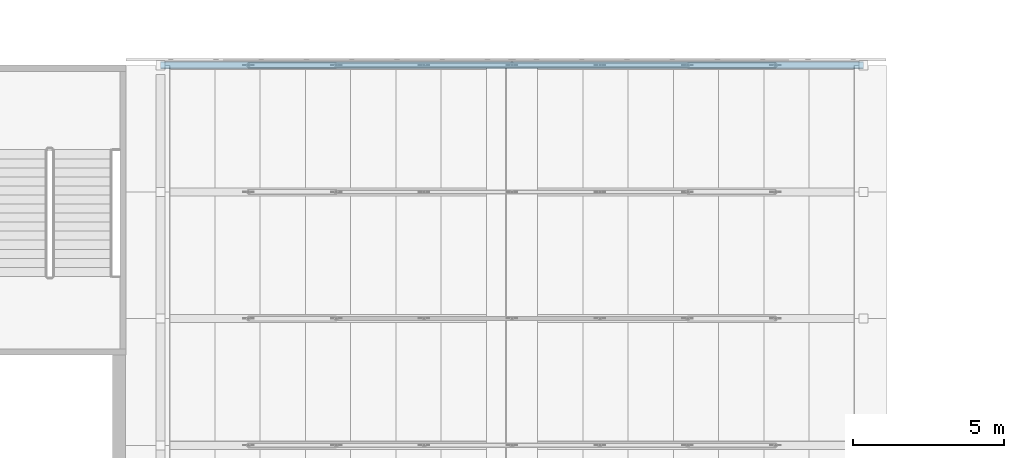
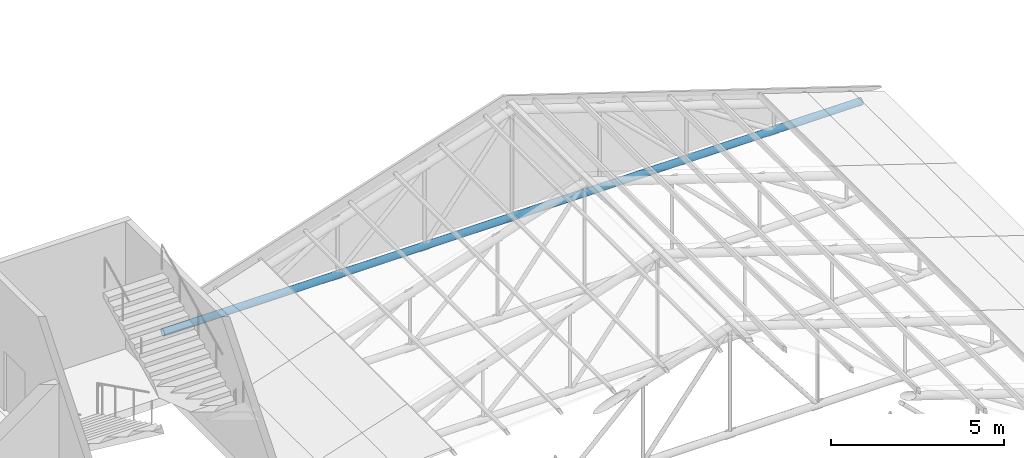
# One storey, part 54 of 95: 1 member.
"""IFC4 building model written with IfcOpenShell, lengths in metres."""

from ifc_helpers import new_model, si_unit, direction, frame, origin, origin_2d, place, context, subcontext, project, spatial, hollow_circle, extrude, material, material_profile, profile_set, type_object, element, save


model = new_model("IFC4")

# Units and contexts
model_context = context("Model", 3, precision=1e-05, world=origin(), true_north=direction((0.0, 1.0)))
body_context = subcontext(model_context, "Body", "Model", "MODEL_VIEW")
ifc_project = project(units=[si_unit("LENGTHUNIT", "METRE"), si_unit("AREAUNIT", "SQUARE_METRE"), si_unit("VOLUMEUNIT", "CUBIC_METRE"), si_unit("PLANEANGLEUNIT", "RADIAN"), si_unit("MASSUNIT", "GRAM", prefix="KILO")], contexts=[model_context])

# Site, building, storey
site_placement = place(None, origin())
site = spatial("IfcSite", under=ifc_project, at=site_placement, CompositionType="ELEMENT")
building_placement = place(site_placement, origin())
building = spatial("IfcBuilding", under=site, at=building_placement, Name="Kiln Court Media Centre", CompositionType="ELEMENT")
storey_placement = place(building_placement, frame((0.0, 0.0, 24.60009765625)))
storey = spatial("IfcBuildingStorey", under=building, at=storey_placement, Name="L05", CompositionType="ELEMENT", Elevation=24.60009765625)

# Member
ifc_material = material(Name="Steel ASTM A500 Gr C", Category="steel")
ifc_material_profile = material_profile(ifc_material, hollow_circle(Radius=0.122314453125, WallThickness=0.010009765625, at=origin_2d()), Name="CHS 244.5x10.0")
ifc_profile_set = profile_set([ifc_material_profile], Name="Steel ASTM A500 Gr C")
member_type = type_object("IfcMemberType", Name="Steel ASTM A500 Gr C CHS 244.5x10.0 truss chord", PredefinedType="CHORD", material=ifc_profile_set)
member_placement = place(storey_placement, frame((34.75, 67.199951171875, -0.013916015625), z_axis=(1.0, 0.0, 0.0), x_axis=(0.0, 1.0, 0.0)))
element("IfcMember", 1, at=member_placement, inside=storey, type_object=member_type, Name="foyer truss FT-11 bottom chord truss chord", PredefinedType="CHORD", context=body_context, shape_type="SweptSolid", body=[
    extrude(hollow_circle(Radius=0.122314453125, WallThickness=0.010009765625, at=origin_2d()), origin(), (0.0, 0.0, 1.0), 23.300048828125),
])

save(model, "model.ifc")
